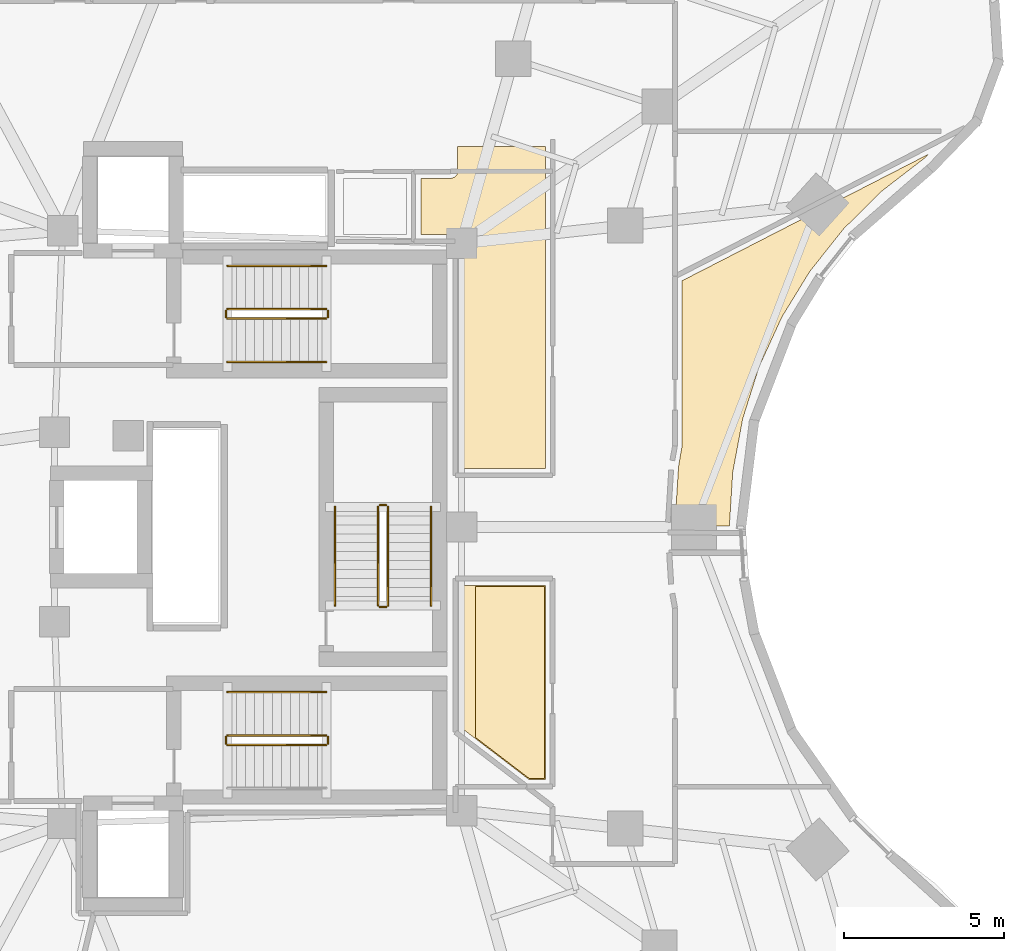
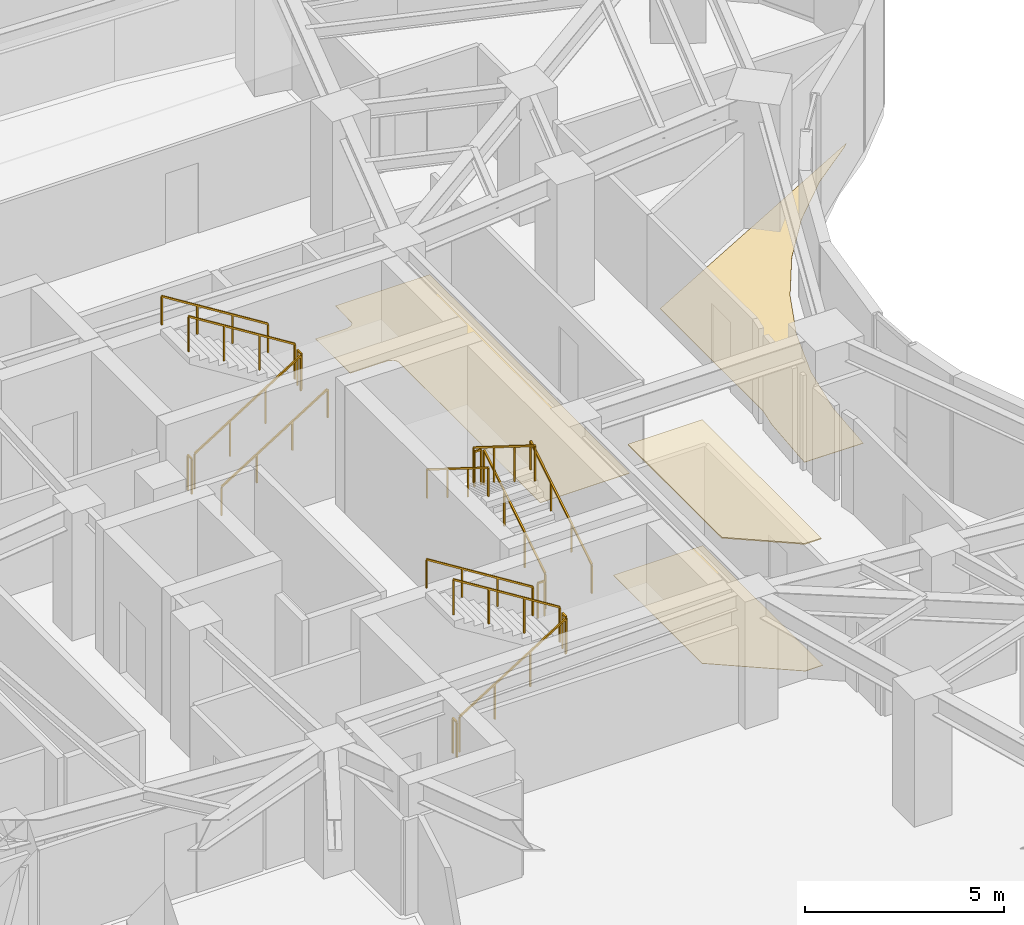
# One storey, part 14 of 15: 17 railings, 4 coverings.
"""IFC4 building model written with IfcOpenShell, lengths in metres."""

from ifc_helpers import new_model, si_unit, direction, frame, origin, origin_2d, place, context, subcontext, project, spatial, polyline, rectangle, outline, extrude, material, layer, layer_set, type_object, element, save


model = new_model("IFC4")

# Units and contexts
model_context = context("Model", 3, precision=1e-05, world=origin(), true_north=direction((0.0, 1.0)))
body_context = subcontext(model_context, "Body", "Model", "MODEL_VIEW")
ifc_project = project(units=[si_unit("LENGTHUNIT", "METRE"), si_unit("AREAUNIT", "SQUARE_METRE"), si_unit("VOLUMEUNIT", "CUBIC_METRE"), si_unit("PLANEANGLEUNIT", "RADIAN"), si_unit("MASSUNIT", "GRAM", prefix="KILO")], contexts=[model_context])

# Site, building, storey
site_placement = place(None, origin())
site = spatial("IfcSite", under=ifc_project, at=site_placement, CompositionType="ELEMENT")
building_placement = place(site_placement, origin())
building = spatial("IfcBuilding", under=site, at=building_placement, Name="Korentha Bioscience Tower", CompositionType="ELEMENT")
storey_placement = place(building_placement, frame((0.0, 0.0, 34.199951171875)))
storey = spatial("IfcBuildingStorey", under=building, at=storey_placement, Name="L07", CompositionType="ELEMENT", Elevation=34.199951171875)

# Railings
ifc_material_1 = material(Name="Stainless Steel 304", Category="steel")
railing_type_1 = type_object("IfcRailingType", Name="Brushed Stainless Stair Handrail 900", PredefinedType="HANDRAIL", material=ifc_material_1)
railing_1_placement = place(storey_placement, frame((30.25, 32.14990234375, 0.175048828125)))
element("IfcRailing", 1, at=railing_1_placement, inside=storey, type_object=railing_type_1, Name="L07 ST-1 stair handrail 1", PredefinedType="HANDRAIL", context=body_context, shape_type="SweptSolid", body=[
    extrude(rectangle(XDim=0.048095703125, YDim=0.048095703125, at=origin_2d()), frame((0.0, 0.0, 0.8759765625), z_axis=(0.847998304005, 0.0, 0.529998940003), x_axis=(0.0, 1.0, 0.0)), (0.0, 0.0, 1.0), 3.632080078125),
    extrude(rectangle(XDim=0.0419921875, YDim=0.0419921875, at=origin_2d()), origin(), (0.0, 0.0, 1.0), 0.851806640625),
    extrude(rectangle(XDim=0.0419921875, YDim=0.0419921875, at=origin_2d()), frame((1.026611328125, 0.0, 0.6416015625)), (0.0, 0.0, 1.0), 0.851806640625),
    extrude(rectangle(XDim=0.0419921875, YDim=0.0419921875, at=origin_2d()), frame((2.053466796875, 0.0, 1.283447265625)), (0.0, 0.0, 1.0), 0.851806640625),
    extrude(rectangle(XDim=0.0419921875, YDim=0.0419921875, at=origin_2d()), frame((3.080078125, 0.0, 1.925048828125)), (0.0, 0.0, 1.0), 0.851806640625),
])
for number, where, name in (
    (2, (33.330078125, 35.14990234375, 2.275146484375), "L07 ST-1 stair handrail 2"),
    (3, (33.330078125, 21.85009765625, 2.275146484375), "L07 ST-2 stair handrail 2"),
):
    element("IfcRailing", number, at=place(storey_placement, frame(where)), inside=storey, type_object=railing_type_1, Name=name, PredefinedType="HANDRAIL", context=body_context, shape_type="SweptSolid", body=[
        extrude(rectangle(XDim=0.048095703125, YDim=0.048095703125, at=origin_2d()), frame((0.0, 0.0, 0.8759765625), z_axis=(-0.848028513186, 0.0, 0.529950602248), x_axis=(0.0, -1.0, 0.0)), (0.0, 0.0, 1.0), 3.632080078125),
        extrude(rectangle(XDim=0.0419921875, YDim=0.0419921875, at=origin_2d()), origin(), (0.0, 0.0, 1.0), 0.851806640625),
        extrude(rectangle(XDim=0.0419921875, YDim=0.0419921875, at=origin_2d()), frame((-1.026611328125, 0.0, 0.6416015625)), (0.0, 0.0, 1.0), 0.851806640625),
        extrude(rectangle(XDim=0.0419921875, YDim=0.0419921875, at=origin_2d()), frame((-2.053466796875, 0.0, 1.283203125)), (0.0, 0.0, 1.0), 0.851806640625),
        extrude(rectangle(XDim=0.0419921875, YDim=0.0419921875, at=origin_2d()), frame((-3.080078125, 0.0, 1.9248046875)), (0.0, 0.0, 1.0), 0.851806640625),
    ])
railing_2_placement = place(storey_placement, frame((36.60009765625, 24.550048828125, 0.175048828125)))
element("IfcRailing", 4, at=railing_2_placement, inside=storey, type_object=railing_type_1, Name="L07 ST-3 stair handrail 1", PredefinedType="HANDRAIL", context=body_context, shape_type="SweptSolid", body=[
    extrude(rectangle(XDim=0.048095703125, YDim=0.048095703125, at=origin_2d()), frame((0.0, 0.0, 0.8759765625), z_axis=(0.0, 0.847979421464, 0.530029150871), x_axis=(-1.0, 0.0, 0.0)), (0.0, 0.0, 1.0), 3.632080078125),
    extrude(rectangle(XDim=0.0419921875, YDim=0.0419921875, at=origin_2d()), origin(), (0.0, 0.0, 1.0), 0.851806640625),
    extrude(rectangle(XDim=0.0419921875, YDim=0.0419921875, at=origin_2d()), frame((0.0, 1.026611328125, 0.6416015625)), (0.0, 0.0, 1.0), 0.851806640625),
    extrude(rectangle(XDim=0.0419921875, YDim=0.0419921875, at=origin_2d()), frame((0.0, 2.05322265625, 1.283447265625)), (0.0, 0.0, 1.0), 0.851806640625),
    extrude(rectangle(XDim=0.0419921875, YDim=0.0419921875, at=origin_2d()), frame((0.0, 3.079833984375, 1.925048828125)), (0.0, 0.0, 1.0), 0.851806640625),
])
railing_3_placement = place(storey_placement, frame((33.60009765625, 27.6298828125, 2.275146484375)))
element("IfcRailing", 5, at=railing_3_placement, inside=storey, type_object=railing_type_1, Name="L07 ST-3 stair handrail 2", PredefinedType="HANDRAIL", context=body_context, shape_type="SweptSolid", body=[
    extrude(rectangle(XDim=0.048095703125, YDim=0.048095703125, at=origin_2d()), frame((0.0, 0.0, 0.8759765625), z_axis=(0.0, -0.848009633417, 0.529980812513), x_axis=(1.0, 0.0, 0.0)), (0.0, 0.0, 1.0), 3.6318359375),
    extrude(rectangle(XDim=0.0419921875, YDim=0.0419921875, at=origin_2d()), origin(), (0.0, 0.0, 1.0), 0.851806640625),
    extrude(rectangle(XDim=0.0419921875, YDim=0.0419921875, at=origin_2d()), frame((0.0, -1.026611328125, 0.6416015625)), (0.0, 0.0, 1.0), 0.851806640625),
    extrude(rectangle(XDim=0.0419921875, YDim=0.0419921875, at=origin_2d()), frame((0.0, -2.05322265625, 1.283203125)), (0.0, 0.0, 1.0), 0.851806640625),
    extrude(rectangle(XDim=0.0419921875, YDim=0.0419921875, at=origin_2d()), frame((0.0, -3.079833984375, 1.9248046875)), (0.0, 0.0, 1.0), 0.851806640625),
])

# Covering
ifc_material_2 = material(Name="Antimicrobial Mineral Fibre Board", Category="gypsum")
ifc_layer_1 = layer(ifc_material_2, 0.034912109375, Name="Antimicrobial Mineral Fibre Board")
ifc_layer_set_1 = layer_set([ifc_layer_1], Name="Antimicrobial Mineral Fibre Board (CL-MF35)")
covering_type_1 = type_object("IfcCoveringType", Name="Mineral-Fibre Cleanroom Suspended Ceiling 35", PredefinedType="CEILING", material=ifc_layer_set_1)
covering_1_placement = place(storey_placement, frame((0.0, 0.0, 3.864990234375)))
element("IfcCovering", 6, at=covering_1_placement, inside=storey, type_object=covering_type_1, Name="L07 Terrace View Refreshment Lounge 06 Acoustic Ceiling", PredefinedType="CEILING", context=body_context, shape_type="SweptSolid", body=[
    extrude(outline(polyline([(40.139892578125, 19.152099609375), (39.6640625, 19.152099609375), (37.989990234375, 20.4306640625), (37.989990234375, 25.139892578125), (40.139892578125, 25.139892578125), (40.139892578125, 19.152099609375)])), origin(), (0.0, 0.0, 1.0), 0.03515625),
])

# Railings
ifc_material_3 = material(Name="Painted Steel S275", Category="steel")
railing_type_2 = type_object("IfcRailingType", Name="Painted Steel Stair Well Guardrail 1100", PredefinedType="GUARDRAIL", material=ifc_material_3)
railing_4_placement = place(storey_placement, frame((30.25, 33.5, 0.175048828125)))
element("IfcRailing", 7, at=railing_4_placement, inside=storey, type_object=railing_type_2, Name="L07 ST-1 stair guard 1", PredefinedType="GUARDRAIL", context=body_context, shape_type="SweptSolid", body=[
    extrude(rectangle(XDim=0.048095703125, YDim=0.048095703125, at=origin_2d()), frame((0.0, 0.0, 1.076171875), z_axis=(0.847998304005, 0.0, 0.529998940003), x_axis=(0.0, 1.0, 0.0)), (0.0, 0.0, 1.0), 3.632080078125),
    extrude(rectangle(XDim=0.0419921875, YDim=0.0419921875, at=origin_2d()), origin(), (0.0, 0.0, 1.0), 1.052001953125),
    extrude(rectangle(XDim=0.0419921875, YDim=0.0419921875, at=origin_2d()), frame((1.026611328125, 0.0, 0.6416015625)), (0.0, 0.0, 1.0), 1.052001953125),
    extrude(rectangle(XDim=0.0419921875, YDim=0.0419921875, at=origin_2d()), frame((2.053466796875, 0.0, 1.283447265625)), (0.0, 0.0, 1.0), 1.052001953125),
    extrude(rectangle(XDim=0.0419921875, YDim=0.0419921875, at=origin_2d()), frame((3.080078125, 0.0, 1.925048828125)), (0.0, 0.0, 1.0), 1.052001953125),
])
railing_5_placement = place(storey_placement, frame((33.3798828125, 33.550048828125, 2.10009765625)))
element("IfcRailing", 8, at=railing_5_placement, inside=storey, type_object=railing_type_2, Name="L07 ST-1 stair guard 2", PredefinedType="GUARDRAIL", context=body_context, shape_type="SweptSolid", body=[
    extrude(rectangle(XDim=0.048095703125, YDim=0.048095703125, at=origin_2d()), frame((0.0, 0.0, 1.076171875), z_axis=(0.0, 1.0, 0.0), x_axis=(-1.0, 0.0, 0.0)), (0.0, 0.0, 1.0), 0.199951171875),
    extrude(rectangle(XDim=0.0419921875, YDim=0.0419921875, at=origin_2d()), origin(), (0.0, 0.0, 1.0), 1.052001953125),
    extrude(rectangle(XDim=0.0419921875, YDim=0.0419921875, at=origin_2d()), frame((0.0, 0.199951171875, 0.0)), (0.0, 0.0, 1.0), 1.052001953125),
])
railing_6_placement = place(storey_placement, frame((33.330078125, 33.800048828125, 2.275146484375)))
element("IfcRailing", 9, at=railing_6_placement, inside=storey, type_object=railing_type_2, Name="L07 ST-1 stair guard 3", PredefinedType="GUARDRAIL", context=body_context, shape_type="SweptSolid", body=[
    extrude(rectangle(XDim=0.048095703125, YDim=0.048095703125, at=origin_2d()), frame((0.0, 0.0, 1.076171875), z_axis=(-0.848028513186, 0.0, 0.529950602248), x_axis=(0.0, -1.0, 0.0)), (0.0, 0.0, 1.0), 3.632080078125),
    extrude(rectangle(XDim=0.0419921875, YDim=0.0419921875, at=origin_2d()), origin(), (0.0, 0.0, 1.0), 1.052001953125),
    extrude(rectangle(XDim=0.0419921875, YDim=0.0419921875, at=origin_2d()), frame((-1.026611328125, 0.0, 0.6416015625)), (0.0, 0.0, 1.0), 1.052001953125),
    extrude(rectangle(XDim=0.0419921875, YDim=0.0419921875, at=origin_2d()), frame((-2.053466796875, 0.0, 1.283203125)), (0.0, 0.0, 1.0), 1.052001953125),
    extrude(rectangle(XDim=0.0419921875, YDim=0.0419921875, at=origin_2d()), frame((-3.080078125, 0.0, 1.9248046875)), (0.0, 0.0, 1.0), 1.052001953125),
])
railing_7_placement = place(storey_placement, frame((30.199951171875, 33.550048828125, 0.0)))
element("IfcRailing", 10, at=railing_7_placement, inside=storey, type_object=railing_type_2, Name="L07 ST-1 stair guard 4", PredefinedType="GUARDRAIL", context=body_context, shape_type="SweptSolid", body=[
    extrude(rectangle(XDim=0.048095703125, YDim=0.048095703125, at=origin_2d()), frame((0.0, 0.0, 1.076171875), z_axis=(0.0, 1.0, 0.0), x_axis=(-1.0, 0.0, 0.0)), (0.0, 0.0, 1.0), 0.199951171875),
    extrude(rectangle(XDim=0.0419921875, YDim=0.0419921875, at=origin_2d()), origin(), (0.0, 0.0, 1.0), 1.052001953125),
    extrude(rectangle(XDim=0.0419921875, YDim=0.0419921875, at=origin_2d()), frame((0.0, 0.199951171875, 0.0)), (0.0, 0.0, 1.0), 1.052001953125),
])
railing_8_placement = place(storey_placement, frame((30.25, 20.199951171875, 0.175048828125)))
element("IfcRailing", 11, at=railing_8_placement, inside=storey, type_object=railing_type_2, Name="L07 ST-2 stair guard 1", PredefinedType="GUARDRAIL", context=body_context, shape_type="SweptSolid", body=[
    extrude(rectangle(XDim=0.048095703125, YDim=0.048095703125, at=origin_2d()), frame((0.0, 0.0, 1.076171875), z_axis=(0.847998304005, 0.0, 0.529998940003), x_axis=(0.0, 1.0, 0.0)), (0.0, 0.0, 1.0), 3.632080078125),
    extrude(rectangle(XDim=0.0419921875, YDim=0.0419921875, at=origin_2d()), origin(), (0.0, 0.0, 1.0), 1.052001953125),
    extrude(rectangle(XDim=0.0419921875, YDim=0.0419921875, at=origin_2d()), frame((1.026611328125, 0.0, 0.6416015625)), (0.0, 0.0, 1.0), 1.052001953125),
    extrude(rectangle(XDim=0.0419921875, YDim=0.0419921875, at=origin_2d()), frame((2.053466796875, 0.0, 1.283447265625)), (0.0, 0.0, 1.0), 1.052001953125),
    extrude(rectangle(XDim=0.0419921875, YDim=0.0419921875, at=origin_2d()), frame((3.080078125, 0.0, 1.925048828125)), (0.0, 0.0, 1.0), 1.052001953125),
])
railing_9_placement = place(storey_placement, frame((33.3798828125, 20.25, 2.10009765625)))
element("IfcRailing", 12, at=railing_9_placement, inside=storey, type_object=railing_type_2, Name="L07 ST-2 stair guard 2", PredefinedType="GUARDRAIL", context=body_context, shape_type="SweptSolid", body=[
    extrude(rectangle(XDim=0.048095703125, YDim=0.048095703125, at=origin_2d()), frame((0.0, 0.0, 1.076171875), z_axis=(0.0, 1.0, 0.0), x_axis=(-1.0, 0.0, 0.0)), (0.0, 0.0, 1.0), 0.199951171875),
    extrude(rectangle(XDim=0.0419921875, YDim=0.0419921875, at=origin_2d()), origin(), (0.0, 0.0, 1.0), 1.052001953125),
    extrude(rectangle(XDim=0.0419921875, YDim=0.0419921875, at=origin_2d()), frame((0.0, 0.199951171875, 0.0)), (0.0, 0.0, 1.0), 1.052001953125),
])
railing_10_placement = place(storey_placement, frame((33.330078125, 20.5, 2.275146484375)))
element("IfcRailing", 13, at=railing_10_placement, inside=storey, type_object=railing_type_2, Name="L07 ST-2 stair guard 3", PredefinedType="GUARDRAIL", context=body_context, shape_type="SweptSolid", body=[
    extrude(rectangle(XDim=0.048095703125, YDim=0.048095703125, at=origin_2d()), frame((0.0, 0.0, 1.076171875), z_axis=(-0.848028513186, 0.0, 0.529950602248), x_axis=(0.0, -1.0, 0.0)), (0.0, 0.0, 1.0), 3.632080078125),
    extrude(rectangle(XDim=0.0419921875, YDim=0.0419921875, at=origin_2d()), origin(), (0.0, 0.0, 1.0), 1.052001953125),
    extrude(rectangle(XDim=0.0419921875, YDim=0.0419921875, at=origin_2d()), frame((-1.026611328125, 0.0, 0.6416015625)), (0.0, 0.0, 1.0), 1.052001953125),
    extrude(rectangle(XDim=0.0419921875, YDim=0.0419921875, at=origin_2d()), frame((-2.053466796875, 0.0, 1.283203125)), (0.0, 0.0, 1.0), 1.052001953125),
    extrude(rectangle(XDim=0.0419921875, YDim=0.0419921875, at=origin_2d()), frame((-3.080078125, 0.0, 1.9248046875)), (0.0, 0.0, 1.0), 1.052001953125),
])
railing_11_placement = place(storey_placement, frame((30.199951171875, 20.25, 0.0)))
element("IfcRailing", 14, at=railing_11_placement, inside=storey, type_object=railing_type_2, Name="L07 ST-2 stair guard 4", PredefinedType="GUARDRAIL", context=body_context, shape_type="SweptSolid", body=[
    extrude(rectangle(XDim=0.048095703125, YDim=0.048095703125, at=origin_2d()), frame((0.0, 0.0, 1.076171875), z_axis=(0.0, 1.0, 0.0), x_axis=(-1.0, 0.0, 0.0)), (0.0, 0.0, 1.0), 0.199951171875),
    extrude(rectangle(XDim=0.0419921875, YDim=0.0419921875, at=origin_2d()), origin(), (0.0, 0.0, 1.0), 1.052001953125),
    extrude(rectangle(XDim=0.0419921875, YDim=0.0419921875, at=origin_2d()), frame((0.0, 0.199951171875, 0.0)), (0.0, 0.0, 1.0), 1.052001953125),
])
railing_12_placement = place(storey_placement, frame((35.25, 24.550048828125, 0.175048828125)))
element("IfcRailing", 15, at=railing_12_placement, inside=storey, type_object=railing_type_2, Name="L07 ST-3 stair guard 1", PredefinedType="GUARDRAIL", context=body_context, shape_type="SweptSolid", body=[
    extrude(rectangle(XDim=0.048095703125, YDim=0.048095703125, at=origin_2d()), frame((0.0, 0.0, 1.076171875), z_axis=(0.0, 0.847979421464, 0.530029150871), x_axis=(-1.0, 0.0, 0.0)), (0.0, 0.0, 1.0), 3.632080078125),
    extrude(rectangle(XDim=0.0419921875, YDim=0.0419921875, at=origin_2d()), origin(), (0.0, 0.0, 1.0), 1.052001953125),
    extrude(rectangle(XDim=0.0419921875, YDim=0.0419921875, at=origin_2d()), frame((0.0, 1.026611328125, 0.6416015625)), (0.0, 0.0, 1.0), 1.052001953125),
    extrude(rectangle(XDim=0.0419921875, YDim=0.0419921875, at=origin_2d()), frame((0.0, 2.05322265625, 1.283447265625)), (0.0, 0.0, 1.0), 1.052001953125),
    extrude(rectangle(XDim=0.0419921875, YDim=0.0419921875, at=origin_2d()), frame((0.0, 3.079833984375, 1.925048828125)), (0.0, 0.0, 1.0), 1.052001953125),
])
railing_13_placement = place(storey_placement, frame((35.199951171875, 27.679931640625, 2.10009765625)))
element("IfcRailing", 16, at=railing_13_placement, inside=storey, type_object=railing_type_2, Name="L07 ST-3 stair guard 2", PredefinedType="GUARDRAIL", context=body_context, shape_type="SweptSolid", body=[
    extrude(rectangle(XDim=0.048095703125, YDim=0.048095703125, at=origin_2d()), frame((0.0, 0.0, 1.076171875), z_axis=(-1.0, 0.0, 0.0), x_axis=(0.0, -1.0, 0.0)), (0.0, 0.0, 1.0), 0.199951171875),
    extrude(rectangle(XDim=0.0419921875, YDim=0.0419921875, at=origin_2d()), origin(), (0.0, 0.0, 1.0), 1.052001953125),
    extrude(rectangle(XDim=0.0419921875, YDim=0.0419921875, at=origin_2d()), frame((-0.199951171875, 0.0, 0.0)), (0.0, 0.0, 1.0), 1.052001953125),
])
railing_14_placement = place(storey_placement, frame((34.949951171875, 27.6298828125, 2.275146484375)))
element("IfcRailing", 17, at=railing_14_placement, inside=storey, type_object=railing_type_2, Name="L07 ST-3 stair guard 3", PredefinedType="GUARDRAIL", context=body_context, shape_type="SweptSolid", body=[
    extrude(rectangle(XDim=0.048095703125, YDim=0.048095703125, at=origin_2d()), frame((0.0, 0.0, 1.076171875), z_axis=(0.0, -0.848009633417, 0.529980812513), x_axis=(1.0, 0.0, 0.0)), (0.0, 0.0, 1.0), 3.6318359375),
    extrude(rectangle(XDim=0.0419921875, YDim=0.0419921875, at=origin_2d()), origin(), (0.0, 0.0, 1.0), 1.052001953125),
    extrude(rectangle(XDim=0.0419921875, YDim=0.0419921875, at=origin_2d()), frame((0.0, -1.026611328125, 0.6416015625)), (0.0, 0.0, 1.0), 1.052001953125),
    extrude(rectangle(XDim=0.0419921875, YDim=0.0419921875, at=origin_2d()), frame((0.0, -2.05322265625, 1.283203125)), (0.0, 0.0, 1.0), 1.052001953125),
    extrude(rectangle(XDim=0.0419921875, YDim=0.0419921875, at=origin_2d()), frame((0.0, -3.079833984375, 1.9248046875)), (0.0, 0.0, 1.0), 1.052001953125),
])
railing_15_placement = place(storey_placement, frame((35.199951171875, 24.5, 0.0)))
element("IfcRailing", 18, at=railing_15_placement, inside=storey, type_object=railing_type_2, Name="L07 ST-3 stair guard 4", PredefinedType="GUARDRAIL", context=body_context, shape_type="SweptSolid", body=[
    extrude(rectangle(XDim=0.048095703125, YDim=0.048095703125, at=origin_2d()), frame((0.0, 0.0, 1.076171875), z_axis=(-1.0, 0.0, 0.0), x_axis=(0.0, -1.0, 0.0)), (0.0, 0.0, 1.0), 0.199951171875),
    extrude(rectangle(XDim=0.0419921875, YDim=0.0419921875, at=origin_2d()), origin(), (0.0, 0.0, 1.0), 1.052001953125),
    extrude(rectangle(XDim=0.0419921875, YDim=0.0419921875, at=origin_2d()), frame((-0.199951171875, 0.0, 0.0)), (0.0, 0.0, 1.0), 1.052001953125),
])

# Coverings
ifc_material_4 = material(Name="Chemical-Resistant Epoxy Resin", Category="polymer")
ifc_layer_2 = layer(ifc_material_4, 0.011962890625, Name="Chemical-Resistant Epoxy Resin")
ifc_layer_set_2 = layer_set([ifc_layer_2], Name="Chemical-Resistant Epoxy Resin (FL-EPX)")
covering_type_2 = type_object("IfcCoveringType", Name="Seamless Epoxy Laboratory Flooring 12", PredefinedType="FLOORING", material=ifc_layer_set_2)
covering_2_placement = place(storey_placement, origin())
element("IfcCovering", 19, at=covering_2_placement, inside=storey, type_object=covering_type_2, Name="L07 Terrace View Refreshment Lounge 06 Floor Finish", PredefinedType="FLOORING", context=body_context, shape_type="SweptSolid", body=[
    extrude(outline(polyline([(37.580078125, 20.7060546875), (37.580078125, 25.169921875), (40.169921875, 25.169921875), (40.169921875, 19.1220703125), (39.654052734375, 19.1220703125), (37.580078125, 20.7060546875)])), origin(), (0.0, 0.0, 1.0), 0.011962890625),
])
covering_3_placement = place(storey_placement, origin())
element("IfcCovering", 20, at=covering_3_placement, inside=storey, type_object=covering_type_2, Name="L07 Engineered Bio-Foundry Wet Lab 08 Floor Finish", PredefinedType="FLOORING", context=body_context, shape_type="SweptSolid", body=[
    extrude(outline(polyline([(44.20751953125, 27.051025390625), (44.321044921875, 28.889892578125), (44.4296875, 29.51953125), (44.429931640625, 34.68408203125), (52.106201171875, 38.62451171875), (51.98876953125, 38.5029296875), (50.681884765625, 37.4970703125), (49.470947265625, 36.303955078125), (48.414306640625, 34.97216796875), (47.54443359375, 33.552490234375), (46.83740234375, 32.006591796875), (46.32421875, 30.3857421875), (46.01220703125, 28.714599609375), (45.90673828125, 27.031982421875), (44.20751953125, 27.051025390625)])), origin(), (0.0, 0.0, 1.0), 0.011962890625),
])
covering_4_placement = place(storey_placement, origin())
element("IfcCovering", 21, at=covering_4_placement, inside=storey, type_object=covering_type_2, Name="L07 Microfluidics Biochip Cleanroom 10 Floor Finish", PredefinedType="FLOORING", context=body_context, shape_type="SweptSolid", body=[
    extrude(outline(polyline([(37.199951171875, 37.8701171875), (37.33740234375, 37.91552734375), (37.39697265625, 37.981201171875), (37.423095703125, 38.044677734375), (37.429931640625, 38.8701171875), (40.169921875, 38.8701171875), (40.169921875, 28.830078125), (37.580078125, 28.830078125), (37.577392578125, 35.93408203125), (37.5576171875, 35.998779296875), (37.5048828125, 36.070068359375), (37.38427734375, 36.12744140625), (36.280029296875, 36.1298828125), (36.280029296875, 37.8701171875), (37.199951171875, 37.8701171875)])), origin(), (0.0, 0.0, 1.0), 0.011962890625),
])

save(model, "model.ifc")
